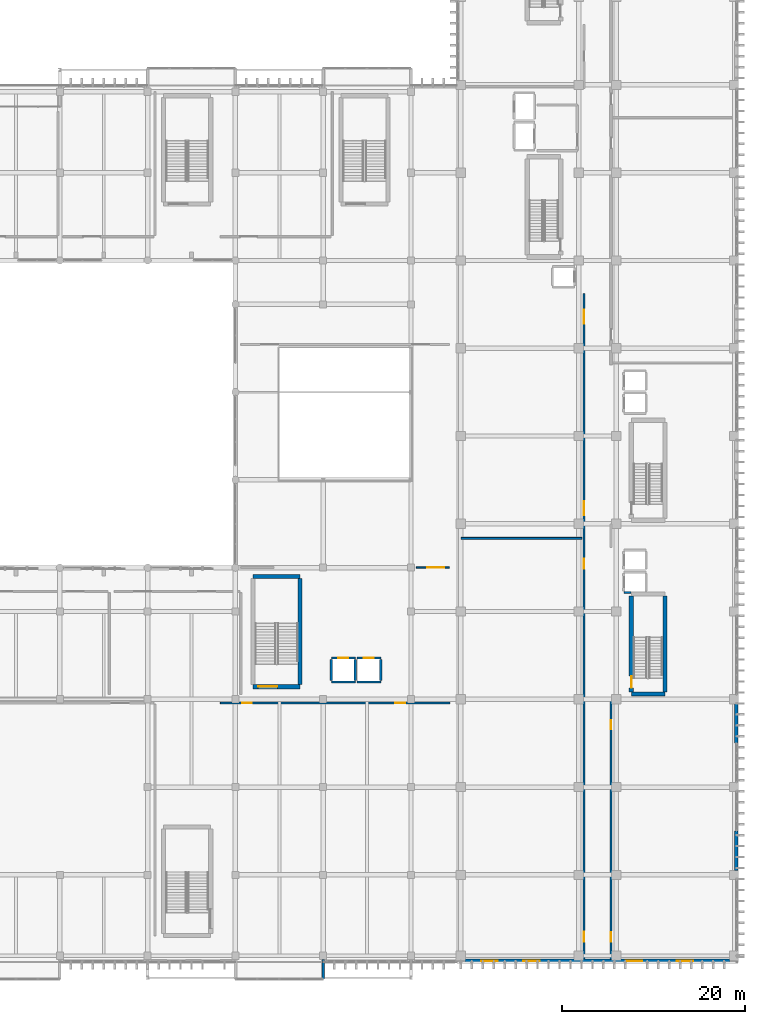
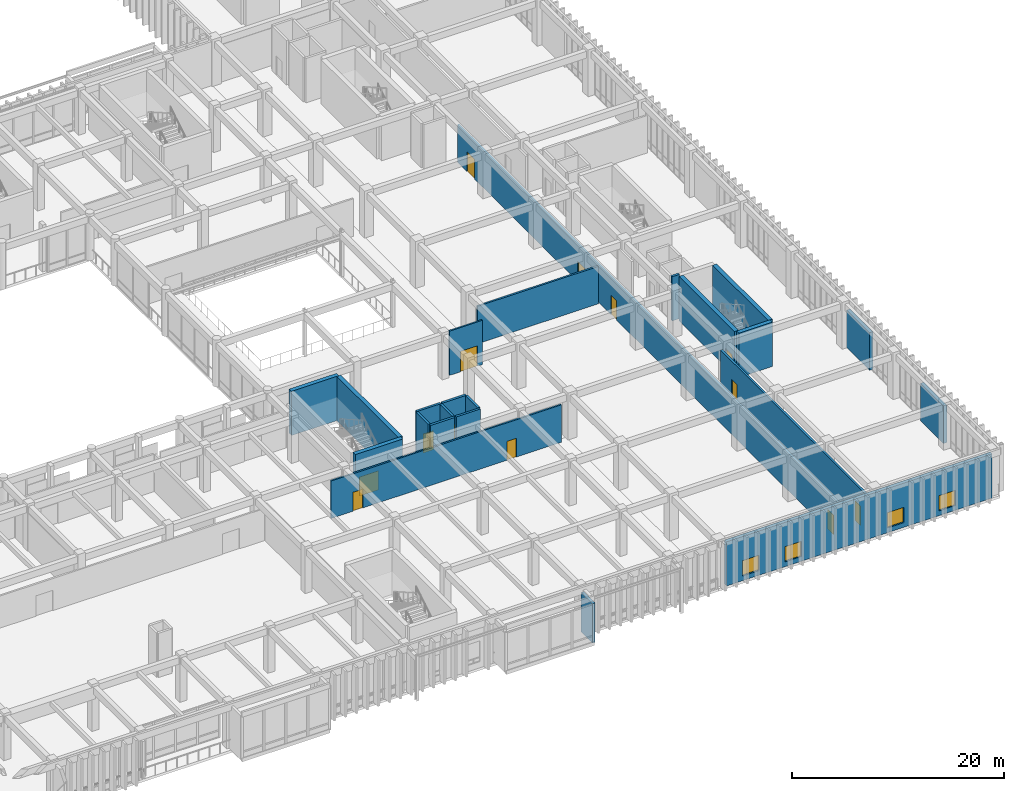
# One storey, part 106 of 134: 23 walls, 13 doors, 4 windows, 17 openings.
"""IFC4 building model written with IfcOpenShell, lengths in metres."""

from ifc_helpers import new_model, si_unit, direction, frame, frame_2d, origin, place, context, subcontext, project, spatial, rectangle, extrude, material, layer, layer_set, type_object, element, fill, save


model = new_model("IFC4")

# Units and contexts
model_context = context("Model", 3, precision=1e-05, world=origin(), true_north=direction((0.0, 1.0)))
body_context = subcontext(model_context, "Body", "Model", "MODEL_VIEW")
ifc_project = project(units=[si_unit("LENGTHUNIT", "METRE"), si_unit("AREAUNIT", "SQUARE_METRE"), si_unit("VOLUMEUNIT", "CUBIC_METRE"), si_unit("PLANEANGLEUNIT", "RADIAN"), si_unit("MASSUNIT", "GRAM", prefix="KILO")], contexts=[model_context])

# Site, building, storey
site_placement = place(None, origin())
site = spatial("IfcSite", under=ifc_project, at=site_placement, CompositionType="ELEMENT")
building_placement = place(site_placement, origin())
building = spatial("IfcBuilding", under=site, at=building_placement, Name="Nakhvara Creek Congress Hotel", CompositionType="ELEMENT")
storey_placement = place(building_placement, frame((0.0, 0.0, 6.0)))
storey = spatial("IfcBuildingStorey", under=building, at=storey_placement, Name="L01", CompositionType="ELEMENT", Elevation=6.0)

# Walls
ifc_material_1 = material(Name="Champagne-bronze anodised aluminium cassette", Category="aluminium")
ifc_layer_1 = layer(ifc_material_1, 0.030029296875)
ifc_material_2 = material(Name="Mineral wool thermal insulation")
ifc_layer_2 = layer(ifc_material_2, 0.10009765625)
ifc_material_3 = material(Name="Precast concrete C40/50", Category="concrete")
ifc_layer_3 = layer(ifc_material_3, 0.169921875)
ifc_layer_set_1 = layer_set([ifc_layer_1, ifc_layer_2, ifc_layer_3], Name="Precast concrete C40/50")
wall_type_1 = type_object("IfcWallType", Name="W-BOX-300", PredefinedType="SOLIDWALL", material=ifc_layer_set_1)
wall_1_placement = place(storey_placement, frame((134.39990234375, 0.35009765625, 0.0), z_axis=(0.0, 0.0, 1.0), x_axis=(0.0, -1.0, 0.0)))
element("IfcWall", 1, at=wall_1_placement, inside=storey, type_object=wall_type_1, Name="Exterior Wall WE06-EW-L01-0060", PredefinedType="SOLIDWALL", context=body_context, shape_type="SweptSolid", body=[
    extrude(rectangle(XDim=2.150146484375, YDim=0.300048828125, at=frame_2d((1.0751953125, 0.0))), origin(), (0.0, 0.0, 1.0), 4.5419921875),
])
ifc_material_4 = material(Name="Concrete C50/60", Category="concrete")
ifc_layer_4 = layer(ifc_material_4, 0.449951171875)
ifc_layer_set_2 = layer_set([ifc_layer_4], Name="Concrete C50/60")
wall_type_2 = type_object("IfcWallType", Name="W-CORE-450", PredefinedType="SHEAR", material=ifc_layer_set_2)
wall_2_placement = place(storey_placement, frame((168.10009765625, 29.3798828125, 0.0), z_axis=(0.0, 0.0, 1.0), x_axis=(1.0, 0.0, 0.0)))
element("IfcWall", 2, at=wall_2_placement, inside=storey, type_object=wall_type_2, Name="Core Shear Wall WS02-CWALL-L01-0567", PredefinedType="SHEAR", context=body_context, shape_type="SweptSolid", body=[
    extrude(rectangle(XDim=3.669921875, YDim=0.449951171875, at=frame_2d((1.8349609375, 0.0))), origin(), (0.0, 0.0, 1.0), 5.10009765625),
])

# Wall, opening, door
wall_3_placement = place(storey_placement, frame((168.10009765625, 29.60009765625, 0.0), z_axis=(0.0, 0.0, 1.0), x_axis=(0.0, 1.0, 0.0)))
wall_3 = element("IfcWall", 3, at=wall_3_placement, inside=storey, type_object=wall_type_2, Name="Core Shear Wall WS02-CWALL-L01-0569", PredefinedType="SHEAR", context=body_context, shape_type="SweptSolid", body=[
    extrude(rectangle(XDim=10.5, YDim=0.449951171875, at=frame_2d((5.25, 0.0))), origin(), (0.0, 0.0, 1.0), 5.10009765625),
])
opening_1_placement = place(wall_3_placement, frame((0.449951171875, 0.0, 0.0)))
opening_1 = element("IfcOpeningElement", 4, at=opening_1_placement, cuts=wall_3, Name="Opening FD04", PredefinedType="OPENING", context=body_context, shape_type="SweptSolid", body=[
    extrude(rectangle(XDim=1.300048828125, YDim=2.14990234375, at=frame_2d((0.64990234375, 1.074951171875))), frame((0.0, 0.23681640625, 0.0), z_axis=(0.0, -1.0, 0.0), x_axis=(1.0, 0.0, 0.0)), (0.0, 0.0, 1.0), 0.473876953125),
])
ifc_material_5 = material(Name="Powder-coated steel fire door", Category="steel")
door_type_1 = type_object("IfcDoorType", Name="DT-STAIR-130", OperationType="NOTDEFINED", PredefinedType="DOOR", material=ifc_material_5)
door_1_placement = place(opening_1_placement, origin())
door_1 = element("IfcDoor", 5, at=door_1_placement, inside=storey, type_object=door_type_1, Name="Stair Exit Door ST03-L01", OperationType="SINGLE_SWING_RIGHT", OverallHeight=2.14990234375, OverallWidth=1.300048828125, PredefinedType="DOOR", context=body_context, shape_type="SweptSolid", body=[
    extrude(rectangle(XDim=1.300048828125, YDim=2.14990234375, at=frame_2d((0.64990234375, 1.074951171875))), frame((0.0, 0.02490234375, 0.0), z_axis=(0.0, -1.0, 0.0), x_axis=(1.0, 0.0, 0.0)), (0.0, 0.0, 1.0), 0.050048828125),
])
fill(opening_1, door_1)

# Wall
wall_4_placement = place(storey_placement, frame((171.77001953125, 29.60009765625, 0.0), z_axis=(0.0, 0.0, 1.0), x_axis=(0.0, 1.0, 0.0)))
element("IfcWall", 6, at=wall_4_placement, inside=storey, type_object=wall_type_2, Name="Core Shear Wall WS02-CWALL-L01-0570", PredefinedType="SHEAR", context=body_context, shape_type="SweptSolid", body=[
    extrude(rectangle(XDim=10.5, YDim=0.449951171875, at=frame_2d((5.25, 0.0))), origin(), (0.0, 0.0, 1.0), 5.10009765625),
])

# Wall, opening, door
wall_5_placement = place(storey_placement, frame((126.72998046875, 30.179931640625, 0.0), z_axis=(0.0, 0.0, 1.0), x_axis=(1.0, 0.0, 0.0)))
wall_5 = element("IfcWall", 7, at=wall_5_placement, inside=storey, type_object=wall_type_2, Name="Core Shear Wall WS02-CWALL-L01-0814", PredefinedType="SHEAR", context=body_context, shape_type="SweptSolid", body=[
    extrude(rectangle(XDim=5.14990234375, YDim=0.449951171875, at=frame_2d((2.574951171875, 0.0))), origin(), (0.0, 0.0, 1.0), 5.10009765625),
])
opening_2_placement = place(wall_5_placement, frame((0.550048828125, 0.0, 0.0)))
opening_2 = element("IfcOpeningElement", 8, at=opening_2_placement, cuts=wall_5, Name="Opening FD19", PredefinedType="OPENING", context=body_context, shape_type="SweptSolid", body=[
    extrude(rectangle(XDim=2.10009765625, YDim=2.199951171875, at=frame_2d((1.050048828125, 1.10009765625))), frame((0.0, 0.23681640625, 0.0), z_axis=(0.0, -1.0, 0.0), x_axis=(1.0, 0.0, 0.0)), (0.0, 0.0, 1.0), 0.473876953125),
])
ifc_material_6 = material(Name="Galvanised steel acoustic fire door", Category="steel")
door_type_2 = type_object("IfcDoorType", Name="DT-STAIR-220", OperationType="DOUBLE_DOOR_SINGLE_SWING", PredefinedType="DOOR", material=ifc_material_6)
door_2_placement = place(opening_2_placement, frame((2.10009765625, 0.0, 0.0), z_axis=(0.0, 0.0, 1.0), x_axis=(-1.0, 0.0, 0.0)))
door_2 = element("IfcDoor", 9, at=door_2_placement, inside=storey, type_object=door_type_2, Name="Stair Exit Door ST06-L01", OperationType="DOUBLE_DOOR_SINGLE_SWING", OverallHeight=2.199951171875, OverallWidth=2.10009765625, PredefinedType="DOOR", context=body_context, shape_type="SweptSolid", body=[
    extrude(rectangle(XDim=2.10009765625, YDim=2.199951171875, at=frame_2d((1.050048828125, 1.10009765625))), frame((0.0, 0.02490234375, 0.0), z_axis=(0.0, -1.0, 0.0), x_axis=(1.0, 0.0, 0.0)), (0.0, 0.0, 1.0), 0.050048828125),
])
fill(opening_2, door_2)

# Walls
wall_6_placement = place(storey_placement, frame((126.72998046875, 42.219970703125, 0.0), z_axis=(0.0, 0.0, 1.0), x_axis=(1.0, 0.0, 0.0)))
element("IfcWall", 10, at=wall_6_placement, inside=storey, type_object=wall_type_2, Name="Core Shear Wall WS02-CWALL-L01-0815", PredefinedType="SHEAR", context=body_context, shape_type="SweptSolid", body=[
    extrude(rectangle(XDim=5.14990234375, YDim=0.449951171875, at=frame_2d((2.574951171875, 0.0))), origin(), (0.0, 0.0, 1.0), 5.10009765625),
])
wall_7_placement = place(storey_placement, frame((131.8798828125, 30.39990234375, 0.0), z_axis=(0.0, 0.0, 1.0), x_axis=(0.0, 1.0, 0.0)))
element("IfcWall", 11, at=wall_7_placement, inside=storey, type_object=wall_type_2, Name="Core Shear Wall WS02-CWALL-L01-0817", PredefinedType="SHEAR", context=body_context, shape_type="SweptSolid", body=[
    extrude(rectangle(XDim=11.60009765625, YDim=0.449951171875, at=frame_2d((5.800048828125, 0.0))), origin(), (0.0, 0.0, 1.0), 5.10009765625),
])

# Wall, openings, doors
ifc_material_7 = material(Name="Gypsum acoustic board on steel stud", Category="steel")
ifc_layer_5 = layer(ifc_material_7, 0.219970703125)
ifc_layer_set_3 = layer_set([ifc_layer_5], Name="Gypsum acoustic board on steel stud")
wall_type_3 = type_object("IfcWallType", Name="W-CORR-220", PredefinedType="PARTITIONING", material=ifc_layer_set_3)
wall_8_placement = place(storey_placement, frame((162.919921875, 0.35009765625, 0.0), z_axis=(0.0, 0.0, 1.0), x_axis=(0.0, 1.0, 0.0)))
wall_8 = element("IfcWall", 12, at=wall_8_placement, inside=storey, type_object=wall_type_3, Name="Interior Wall WP11-IW-L01-0078", PredefinedType="PARTITIONING", context=body_context, shape_type="SweptSolid", body=[
    extrude(rectangle(XDim=72.849853515625, YDim=0.219970703125, at=frame_2d((36.4248046875, 0.0))), origin(), (0.0, 0.0, 1.0), 4.31201171875),
])
opening_3_placement = place(wall_8_placement, frame((1.949951171875, 0.0, 0.0)))
opening_3 = element("IfcOpeningElement", 13, at=opening_3_placement, cuts=wall_8, Name="Opening GD02", PredefinedType="OPENING", context=body_context, shape_type="SweptSolid", body=[
    extrude(rectangle(XDim=1.080078125, YDim=2.25, at=frame_2d((0.5400390625, 1.125))), frame((0.0, 0.1220703125, 0.0), z_axis=(0.0, -1.0, 0.0), x_axis=(1.0, 0.0, 0.0)), (0.0, 0.0, 1.0), 0.243896484375),
])
opening_4_placement = place(wall_8_placement, frame((42.75, 0.0, 0.0)))
opening_4 = element("IfcOpeningElement", 14, at=opening_4_placement, cuts=wall_8, Name="Opening GD02", PredefinedType="OPENING", context=body_context, shape_type="SweptSolid", body=[
    extrude(rectangle(XDim=1.080078125, YDim=2.25, at=frame_2d((0.5400390625, 1.125))), frame((0.0, 0.1220703125, 0.0), z_axis=(0.0, -1.0, 0.0), x_axis=(1.0, 0.0, 0.0)), (0.0, 0.0, 1.0), 0.243896484375),
])
opening_5_placement = place(wall_8_placement, frame((48.60009765625, 0.0, 0.0)))
opening_5 = element("IfcOpeningElement", 15, at=opening_5_placement, cuts=wall_8, Name="Opening GD03", PredefinedType="OPENING", context=body_context, shape_type="SweptSolid", body=[
    extrude(rectangle(XDim=1.5, YDim=2.300048828125, at=frame_2d((0.75, 1.14990234375))), frame((0.0, 0.1220703125, 0.0), z_axis=(0.0, -1.0, 0.0), x_axis=(1.0, 0.0, 0.0)), (0.0, 0.0, 1.0), 0.243896484375),
])
opening_6_placement = place(wall_8_placement, frame((69.550048828125, 0.0, 0.0)))
opening_6 = element("IfcOpeningElement", 16, at=opening_6_placement, cuts=wall_8, Name="Opening GD03", PredefinedType="OPENING", context=body_context, shape_type="SweptSolid", body=[
    extrude(rectangle(XDim=1.5, YDim=2.300048828125, at=frame_2d((0.75, 1.14990234375))), frame((0.0, 0.1220703125, 0.0), z_axis=(0.0, -1.0, 0.0), x_axis=(1.0, 0.0, 0.0)), (0.0, 0.0, 1.0), 0.243896484375),
])
ifc_material_8 = material(Name="Walnut hardwood timber fire door", Category="wood")
door_type_3 = type_object("IfcDoorType", Name="DT-GUEST-108", OperationType="NOTDEFINED", PredefinedType="DOOR", material=ifc_material_8)
door_3_placement = place(opening_3_placement, frame((1.080078125, 0.0, 0.0), z_axis=(0.0, 0.0, 1.0), x_axis=(-1.0, 0.0, 0.0)))
door_3 = element("IfcDoor", 17, at=door_3_placement, inside=storey, type_object=door_type_3, Name="Interior Door GD02-0115", OperationType="SINGLE_SWING_RIGHT", OverallHeight=2.25, OverallWidth=1.080078125, PredefinedType="DOOR", context=body_context, shape_type="SweptSolid", body=[
    extrude(rectangle(XDim=1.080078125, YDim=2.25, at=frame_2d((0.5400390625, 1.125))), frame((0.0, 0.02490234375, 0.0), z_axis=(0.0, -1.0, 0.0), x_axis=(1.0, 0.0, 0.0)), (0.0, 0.0, 1.0), 0.050048828125),
])
fill(opening_3, door_3)
door_4_placement = place(opening_4_placement, frame((1.080078125, 0.0, 0.0), z_axis=(0.0, 0.0, 1.0), x_axis=(-1.0, 0.0, 0.0)))
door_4 = element("IfcDoor", 18, at=door_4_placement, inside=storey, type_object=door_type_3, Name="Interior Door GD02-0116", OperationType="SINGLE_SWING_LEFT", OverallHeight=2.25, OverallWidth=1.080078125, PredefinedType="DOOR", context=body_context, shape_type="SweptSolid", body=[
    extrude(rectangle(XDim=1.080078125, YDim=2.25, at=frame_2d((0.5400390625, 1.125))), frame((0.0, 0.02490234375, 0.0), z_axis=(0.0, -1.0, 0.0), x_axis=(1.0, 0.0, 0.0)), (0.0, 0.0, 1.0), 0.050048828125),
])
fill(opening_4, door_4)
ifc_material_9 = material(Name="Walnut hardwood double fire door", Category="wood")
door_type_4 = type_object("IfcDoorType", Name="DT-SUITE-150", OperationType="DOUBLE_DOOR_SINGLE_SWING", PredefinedType="DOOR", material=ifc_material_9)
door_5_placement = place(opening_5_placement, frame((1.5, 0.0, 0.0), z_axis=(0.0, 0.0, 1.0), x_axis=(-1.0, 0.0, 0.0)))
door_5 = element("IfcDoor", 19, at=door_5_placement, inside=storey, type_object=door_type_4, Name="Interior Door GD03-0121", OperationType="DOUBLE_DOOR_SINGLE_SWING", OverallHeight=2.300048828125, OverallWidth=1.5, PredefinedType="DOOR", context=body_context, shape_type="SweptSolid", body=[
    extrude(rectangle(XDim=1.5, YDim=2.300048828125, at=frame_2d((0.75, 1.14990234375))), frame((0.0, 0.02490234375, 0.0), z_axis=(0.0, -1.0, 0.0), x_axis=(1.0, 0.0, 0.0)), (0.0, 0.0, 1.0), 0.050048828125),
])
fill(opening_5, door_5)
door_6_placement = place(opening_6_placement, frame((1.5, 0.0, 0.0), z_axis=(0.0, 0.0, 1.0), x_axis=(-1.0, 0.0, 0.0)))
door_6 = element("IfcDoor", 20, at=door_6_placement, inside=storey, type_object=door_type_4, Name="Interior Door GD03-0122", OperationType="DOUBLE_DOOR_SINGLE_SWING", OverallHeight=2.300048828125, OverallWidth=1.5, PredefinedType="DOOR", context=body_context, shape_type="SweptSolid", body=[
    extrude(rectangle(XDim=1.5, YDim=2.300048828125, at=frame_2d((0.75, 1.14990234375))), frame((0.0, 0.02490234375, 0.0), z_axis=(0.0, -1.0, 0.0), x_axis=(1.0, 0.0, 0.0)), (0.0, 0.0, 1.0), 0.050048828125),
])
fill(opening_6, door_6)

wall_9_placement = place(storey_placement, frame((165.8798828125, 0.35009765625, 0.0), z_axis=(0.0, 0.0, 1.0), x_axis=(0.0, 1.0, 0.0)))
wall_9 = element("IfcWall", 21, at=wall_9_placement, inside=storey, type_object=wall_type_3, Name="Interior Wall WP11-IW-L01-0081", PredefinedType="PARTITIONING", context=body_context, shape_type="SweptSolid", body=[
    extrude(rectangle(XDim=28.25, YDim=0.219970703125, at=frame_2d((14.125, 0.0))), origin(), (0.0, 0.0, 1.0), 4.31201171875),
])
opening_7_placement = place(wall_9_placement, frame((1.949951171875, 0.0, 0.0)))
opening_7 = element("IfcOpeningElement", 22, at=opening_7_placement, cuts=wall_9, Name="Opening GD01", PredefinedType="OPENING", context=body_context, shape_type="SweptSolid", body=[
    extrude(rectangle(XDim=1.02001953125, YDim=2.199951171875, at=frame_2d((0.510009765625, 1.10009765625))), frame((0.0, 0.1220703125, 0.0), z_axis=(0.0, -1.0, 0.0), x_axis=(1.0, 0.0, 0.0)), (0.0, 0.0, 1.0), 0.243896484375),
])
opening_8_placement = place(wall_9_placement, frame((25.14990234375, 0.0, 0.0)))
opening_8 = element("IfcOpeningElement", 23, at=opening_8_placement, cuts=wall_9, Name="Opening GD01", PredefinedType="OPENING", context=body_context, shape_type="SweptSolid", body=[
    extrude(rectangle(XDim=1.02001953125, YDim=2.199951171875, at=frame_2d((0.510009765625, 1.10009765625))), frame((0.0, 0.1220703125, 0.0), z_axis=(0.0, -1.0, 0.0), x_axis=(1.0, 0.0, 0.0)), (0.0, 0.0, 1.0), 0.243896484375),
])
door_type_5 = type_object("IfcDoorType", Name="DT-GUEST-102", OperationType="NOTDEFINED", PredefinedType="DOOR", material=ifc_material_8)
door_7_placement = place(opening_7_placement, origin())
door_7 = element("IfcDoor", 24, at=door_7_placement, inside=storey, type_object=door_type_5, Name="Interior Door GD01-0117", OperationType="SINGLE_SWING_RIGHT", OverallHeight=2.199951171875, OverallWidth=1.02001953125, PredefinedType="DOOR", context=body_context, shape_type="SweptSolid", body=[
    extrude(rectangle(XDim=1.02001953125, YDim=2.199951171875, at=frame_2d((0.510009765625, 1.10009765625))), frame((0.0, 0.02490234375, 0.0), z_axis=(0.0, -1.0, 0.0), x_axis=(1.0, 0.0, 0.0)), (0.0, 0.0, 1.0), 0.050048828125),
])
fill(opening_7, door_7)
door_8_placement = place(opening_8_placement, origin())
door_8 = element("IfcDoor", 25, at=door_8_placement, inside=storey, type_object=door_type_5, Name="Interior Door GD01-0118", OperationType="SINGLE_SWING_LEFT", OverallHeight=2.199951171875, OverallWidth=1.02001953125, PredefinedType="DOOR", context=body_context, shape_type="SweptSolid", body=[
    extrude(rectangle(XDim=1.02001953125, YDim=2.199951171875, at=frame_2d((0.510009765625, 1.10009765625))), frame((0.0, 0.02490234375, 0.0), z_axis=(0.0, -1.0, 0.0), x_axis=(1.0, 0.0, 0.0)), (0.0, 0.0, 1.0), 0.050048828125),
])
fill(opening_8, door_8)

# Wall, openings, windows
ifc_material_10 = material(Name="Honed pale Omani limestone cladding", Category="masonry")
ifc_layer_6 = layer(ifc_material_10, 0.050048828125)
ifc_layer_7 = layer(ifc_material_2, 0.110107421875)
ifc_layer_8 = layer(ifc_material_3, 0.219970703125)
ifc_layer_set_4 = layer_set([ifc_layer_6, ifc_layer_7, ifc_layer_8], Name="Precast concrete C40/50")
wall_type_4 = type_object("IfcWallType", Name="W-EXT-380", PredefinedType="SOLIDWALL", material=ifc_layer_set_4)
wall_10_placement = place(storey_placement, frame((178.875, 0.18994140625, 0.0), z_axis=(0.0, 0.0, 1.0), x_axis=(-1.0, 0.0, 0.0)))
wall_10 = element("IfcWall", 26, at=wall_10_placement, inside=storey, type_object=wall_type_4, Name="Exterior Wall WE03-EW-L01-0096", PredefinedType="SOLIDWALL", context=body_context, shape_type="SweptSolid", body=[
    extrude(rectangle(XDim=28.949951171875, YDim=0.3798828125, at=frame_2d((14.47509765625, 0.0))), origin(), (0.0, 0.0, 1.0), 5.10009765625),
])
opening_9_placement = place(wall_10_placement, frame((4.0, 0.0, 0.550048828125)))
opening_9 = element("IfcOpeningElement", 27, at=opening_9_placement, cuts=wall_10, Name="Opening WN0109", PredefinedType="OPENING", context=body_context, shape_type="SweptSolid", body=[
    extrude(rectangle(XDim=1.800048828125, YDim=1.760009765625, at=frame_2d((0.89990234375, 0.8798828125))), frame((0.0, 0.201904296875, 0.0), z_axis=(0.0, -1.0, 0.0), x_axis=(1.0, 0.0, 0.0)), (0.0, 0.0, 1.0), 0.40380859375),
])
opening_10_placement = place(wall_10_placement, frame((9.60009765625, 0.0, 0.550048828125)))
opening_10 = element("IfcOpeningElement", 28, at=opening_10_placement, cuts=wall_10, Name="Opening WN0110", PredefinedType="OPENING", context=body_context, shape_type="SweptSolid", body=[
    extrude(rectangle(XDim=1.800048828125, YDim=1.760009765625, at=frame_2d((0.89990234375, 0.8798828125))), frame((0.0, 0.201904296875, 0.0), z_axis=(0.0, -1.0, 0.0), x_axis=(1.0, 0.0, 0.0)), (0.0, 0.0, 1.0), 0.40380859375),
])
opening_11_placement = place(wall_10_placement, frame((20.800048828125, 0.0, 0.550048828125)))
opening_11 = element("IfcOpeningElement", 29, at=opening_11_placement, cuts=wall_10, Name="Opening WN0111", PredefinedType="OPENING", context=body_context, shape_type="SweptSolid", body=[
    extrude(rectangle(XDim=1.800048828125, YDim=1.760009765625, at=frame_2d((0.89990234375, 0.8798828125))), frame((0.0, 0.201904296875, 0.0), z_axis=(0.0, -1.0, 0.0), x_axis=(1.0, 0.0, 0.0)), (0.0, 0.0, 1.0), 0.40380859375),
])
opening_12_placement = place(wall_10_placement, frame((25.39990234375, 0.0, 0.550048828125)))
opening_12 = element("IfcOpeningElement", 30, at=opening_12_placement, cuts=wall_10, Name="Opening WN0112", PredefinedType="OPENING", context=body_context, shape_type="SweptSolid", body=[
    extrude(rectangle(XDim=1.800048828125, YDim=1.760009765625, at=frame_2d((0.89990234375, 0.8798828125))), frame((0.0, 0.201904296875, 0.0), z_axis=(0.0, -1.0, 0.0), x_axis=(1.0, 0.0, 0.0)), (0.0, 0.0, 1.0), 0.40380859375),
])
ifc_material_11 = material(Name="Thermally broken bronze-anodised aluminium and double-silver low-E insulated glass", Category="aluminium")
window_type = type_object("IfcWindowType", Name="WN-LAN-180X225", PartitioningType="SINGLE_PANEL", PredefinedType="WINDOW", material=ifc_material_11)
window_1_placement = place(opening_9_placement, origin())
window_1 = element("IfcWindow", 31, at=window_1_placement, inside=storey, type_object=window_type, Name="Facade Window WN0109", OverallHeight=1.760009765625, OverallWidth=1.800048828125, PartitioningType="SINGLE_PANEL", PredefinedType="WINDOW", context=body_context, shape_type="SweptSolid", body=[
    extrude(rectangle(XDim=1.800048828125, YDim=1.760009765625, at=frame_2d((0.89990234375, 0.8798828125))), frame((0.0, 0.030029296875, 0.0), z_axis=(0.0, -1.0, 0.0), x_axis=(1.0, 0.0, 0.0)), (0.0, 0.0, 1.0), 0.06005859375),
])
fill(opening_9, window_1)
window_2_placement = place(opening_10_placement, origin())
window_2 = element("IfcWindow", 32, at=window_2_placement, inside=storey, type_object=window_type, Name="Facade Window WN0110", OverallHeight=1.760009765625, OverallWidth=1.800048828125, PartitioningType="SINGLE_PANEL", PredefinedType="WINDOW", context=body_context, shape_type="SweptSolid", body=[
    extrude(rectangle(XDim=1.800048828125, YDim=1.760009765625, at=frame_2d((0.89990234375, 0.8798828125))), frame((0.0, 0.030029296875, 0.0), z_axis=(0.0, -1.0, 0.0), x_axis=(1.0, 0.0, 0.0)), (0.0, 0.0, 1.0), 0.06005859375),
])
fill(opening_10, window_2)
window_3_placement = place(opening_11_placement, origin())
window_3 = element("IfcWindow", 33, at=window_3_placement, inside=storey, type_object=window_type, Name="Facade Window WN0111", OverallHeight=1.760009765625, OverallWidth=1.800048828125, PartitioningType="SINGLE_PANEL", PredefinedType="WINDOW", context=body_context, shape_type="SweptSolid", body=[
    extrude(rectangle(XDim=1.800048828125, YDim=1.760009765625, at=frame_2d((0.89990234375, 0.8798828125))), frame((0.0, 0.030029296875, 0.0), z_axis=(0.0, -1.0, 0.0), x_axis=(1.0, 0.0, 0.0)), (0.0, 0.0, 1.0), 0.06005859375),
])
fill(opening_11, window_3)
window_4_placement = place(opening_12_placement, origin())
window_4 = element("IfcWindow", 34, at=window_4_placement, inside=storey, type_object=window_type, Name="Facade Window WN0112", OverallHeight=1.760009765625, OverallWidth=1.800048828125, PartitioningType="SINGLE_PANEL", PredefinedType="WINDOW", context=body_context, shape_type="SweptSolid", body=[
    extrude(rectangle(XDim=1.800048828125, YDim=1.760009765625, at=frame_2d((0.89990234375, 0.8798828125))), frame((0.0, 0.030029296875, 0.0), z_axis=(0.0, -1.0, 0.0), x_axis=(1.0, 0.0, 0.0)), (0.0, 0.0, 1.0), 0.06005859375),
])
fill(opening_12, window_4)

# Walls
for number, where, z_axis, x_axis, name in (
    (35, (179.56005859375, 14.39990234375, 0.0), (0.0, 0.0, 1.0), (0.0, -1.0, 0.0), "Exterior Wall WE03-EW-L01-0097"),
    (36, (179.56005859375, 28.324951171875, 0.0), (0.0, 0.0, 1.0), (0.0, -1.0, 0.0), "Exterior Wall WE03-EW-L01-0098"),
):
    element("IfcWall", number, at=place(storey_placement, frame(where, z_axis=z_axis, x_axis=x_axis)), inside=storey, type_object=wall_type_4, Name=name, PredefinedType="SOLIDWALL", context=body_context, shape_type="SweptSolid", body=[
        extrude(rectangle(XDim=4.324951171875, YDim=0.3798828125, at=frame_2d((2.16259765625, 0.0))), origin(), (0.0, 0.0, 1.0), 4.342041015625),
    ])

# Wall, opening, door
ifc_layer_9 = layer(ifc_material_7, 0.179931640625)
ifc_layer_set_5 = layer_set([ifc_layer_9], Name="Gypsum acoustic board on steel stud")
wall_type_5 = type_object("IfcWallType", Name="W-MEET-180", PredefinedType="PARTITIONING", material=ifc_layer_set_5)
wall_11_placement = place(storey_placement, frame((144.60009765625, 43.199951171875, 0.0), z_axis=(0.0, 0.0, 1.0), x_axis=(1.0, 0.0, 0.0)))
wall_11 = element("IfcWall", 37, at=wall_11_placement, inside=storey, type_object=wall_type_5, Name="Interior Wall WP13-IW-L01-0110", PredefinedType="PARTITIONING", context=body_context, shape_type="SweptSolid", body=[
    extrude(rectangle(XDim=3.599853515625, YDim=0.179931640625, at=frame_2d((1.7998046875, 0.0))), origin(), (0.0, 0.0, 1.0), 5.10009765625),
])
opening_13_placement = place(wall_11_placement, frame((1.199951171875, 0.0, 0.0)))
opening_13 = element("IfcOpeningElement", 38, at=opening_13_placement, cuts=wall_11, Name="Opening MD01", PredefinedType="OPENING", context=body_context, shape_type="SweptSolid", body=[
    extrude(rectangle(XDim=1.85009765625, YDim=2.35009765625, at=frame_2d((0.925048828125, 1.175048828125))), frame((0.0, 0.10205078125, 0.0), z_axis=(0.0, -1.0, 0.0), x_axis=(1.0, 0.0, 0.0)), (0.0, 0.0, 1.0), 0.203857421875),
])
ifc_material_12 = material(Name="Acoustic walnut timber double door", Category="wood")
door_type_6 = type_object("IfcDoorType", Name="DT-MEET-185", OperationType="DOUBLE_DOOR_SINGLE_SWING", PredefinedType="DOOR", material=ifc_material_12)
door_9_placement = place(opening_13_placement, frame((1.85009765625, 0.0, 0.0), z_axis=(0.0, 0.0, 1.0), x_axis=(-1.0, 0.0, 0.0)))
door_9 = element("IfcDoor", 39, at=door_9_placement, inside=storey, type_object=door_type_6, Name="Interior Door MD01-0107", OperationType="DOUBLE_DOOR_SINGLE_SWING", OverallHeight=2.35009765625, OverallWidth=1.85009765625, PredefinedType="DOOR", context=body_context, shape_type="SweptSolid", body=[
    extrude(rectangle(XDim=1.85009765625, YDim=2.35009765625, at=frame_2d((0.925048828125, 1.175048828125))), frame((0.0, 0.02490234375, 0.0), z_axis=(0.0, -1.0, 0.0), x_axis=(1.0, 0.0, 0.0)), (0.0, 0.0, 1.0), 0.050048828125),
])
fill(opening_13, door_9)

# Wall, openings, doors
wall_12_placement = place(storey_placement, frame((123.14990234375, 28.39990234375, 0.0), z_axis=(0.0, 0.0, 1.0), x_axis=(1.0, 0.0, 0.0)))
wall_12 = element("IfcWall", 40, at=wall_12_placement, inside=storey, type_object=wall_type_5, Name="Interior Wall WP13-IW-L01-0114", PredefinedType="PARTITIONING", context=body_context, shape_type="SweptSolid", body=[
    extrude(rectangle(XDim=25.10009765625, YDim=0.179931640625, at=frame_2d((12.550048828125, 0.0))), origin(), (0.0, 0.0, 1.0), 4.31201171875),
])
opening_14_placement = place(wall_12_placement, frame((2.39990234375, 0.0, 0.0)))
opening_14 = element("IfcOpeningElement", 41, at=opening_14_placement, cuts=wall_12, Name="Opening ID04", PredefinedType="OPENING", context=body_context, shape_type="SweptSolid", body=[
    extrude(rectangle(XDim=1.050048828125, YDim=2.179931640625, at=frame_2d((0.52490234375, 1.08984375))), frame((0.0, 0.10205078125, 0.0), z_axis=(0.0, -1.0, 0.0), x_axis=(1.0, 0.0, 0.0)), (0.0, 0.0, 1.0), 0.203857421875),
])
opening_15_placement = place(wall_12_placement, frame((19.14990234375, 0.0, 0.0)))
opening_15 = element("IfcOpeningElement", 42, at=opening_15_placement, cuts=wall_12, Name="Opening ID04", PredefinedType="OPENING", context=body_context, shape_type="SweptSolid", body=[
    extrude(rectangle(XDim=1.050048828125, YDim=2.179931640625, at=frame_2d((0.52490234375, 1.08984375))), frame((0.0, 0.10205078125, 0.0), z_axis=(0.0, -1.0, 0.0), x_axis=(1.0, 0.0, 0.0)), (0.0, 0.0, 1.0), 0.203857421875),
])
ifc_material_13 = material(Name="Teak timber & frosted glass spa door", Category="wood")
door_type_7 = type_object("IfcDoorType", Name="DT-SPA-105", OperationType="NOTDEFINED", PredefinedType="DOOR", material=ifc_material_13)
door_10_placement = place(opening_14_placement, origin())
door_10 = element("IfcDoor", 43, at=door_10_placement, inside=storey, type_object=door_type_7, Name="Interior Door ID04-0113", OperationType="SINGLE_SWING_RIGHT", OverallHeight=2.179931640625, OverallWidth=1.050048828125, PredefinedType="DOOR", context=body_context, shape_type="SweptSolid", body=[
    extrude(rectangle(XDim=1.050048828125, YDim=2.179931640625, at=frame_2d((0.52490234375, 1.08984375))), frame((0.0, 0.02490234375, 0.0), z_axis=(0.0, -1.0, 0.0), x_axis=(1.0, 0.0, 0.0)), (0.0, 0.0, 1.0), 0.050048828125),
])
fill(opening_14, door_10)
door_11_placement = place(opening_15_placement, origin())
door_11 = element("IfcDoor", 44, at=door_11_placement, inside=storey, type_object=door_type_7, Name="Interior Door ID04-0114", OperationType="SINGLE_SWING_LEFT", OverallHeight=2.179931640625, OverallWidth=1.050048828125, PredefinedType="DOOR", context=body_context, shape_type="SweptSolid", body=[
    extrude(rectangle(XDim=1.050048828125, YDim=2.179931640625, at=frame_2d((0.52490234375, 1.08984375))), frame((0.0, 0.02490234375, 0.0), z_axis=(0.0, -1.0, 0.0), x_axis=(1.0, 0.0, 0.0)), (0.0, 0.0, 1.0), 0.050048828125),
])
fill(opening_15, door_11)

# Walls
ifc_layer_10 = layer(ifc_material_7, 0.199951171875)
ifc_layer_set_6 = layer_set([ifc_layer_10], Name="Gypsum acoustic board on steel stud")
wall_type_6 = type_object("IfcWallType", Name="W-PART-200", PredefinedType="PARTITIONING", material=ifc_layer_set_6)
wall_13_placement = place(storey_placement, frame((149.5, 46.39990234375, 0.0), z_axis=(0.0, 0.0, 1.0), x_axis=(1.0, 0.0, 0.0)))
element("IfcWall", 45, at=wall_13_placement, inside=storey, type_object=wall_type_6, Name="Interior Wall WP12-IW-L01-0116", PredefinedType="PARTITIONING", context=body_context, shape_type="SweptSolid", body=[
    extrude(rectangle(XDim=13.199951171875, YDim=0.199951171875, at=frame_2d((6.60009765625, 0.0))), origin(), (0.0, 0.0, 1.0), 4.31201171875),
])
ifc_material_14 = material(Name="Concrete C40/50", Category="concrete")
ifc_layer_11 = layer(ifc_material_14, 0.25)
ifc_layer_set_7 = layer_set([ifc_layer_11], Name="Concrete C40/50")
wall_type_7 = type_object("IfcWallType", Name="W-SHAFT-250", PredefinedType="SOLIDWALL", material=ifc_layer_set_7)
wall_14_placement = place(storey_placement, frame((167.2900390625, 40.489990234375, 0.0), z_axis=(0.0, 0.0, 1.0), x_axis=(1.0, 0.0, 0.0)))
element("IfcWall", 46, at=wall_14_placement, inside=storey, type_object=wall_type_7, Name="Core Shear Wall WI02-CWALL-L01-0571", PredefinedType="SOLIDWALL", context=body_context, shape_type="SweptSolid", body=[
    extrude(rectangle(XDim=0.800048828125, YDim=0.25, at=frame_2d((0.39990234375, 0.0))), origin(), (0.0, 0.0, 1.0), 5.10009765625),
])
wall_15_placement = place(storey_placement, frame((135.2900390625, 30.68994140625, 0.0), z_axis=(0.0, 0.0, 1.0), x_axis=(1.0, 0.0, 0.0)))
element("IfcWall", 47, at=wall_15_placement, inside=storey, type_object=wall_type_7, Name="Core Shear Wall WI02-CWALL-L01-0818", PredefinedType="SOLIDWALL", context=body_context, shape_type="SweptSolid", body=[
    extrude(rectangle(XDim=2.619873046875, YDim=0.25, at=frame_2d((1.31005859375, 0.0))), origin(), (0.0, 0.0, 1.0), 5.10009765625),
])

# Wall, opening, door
wall_16_placement = place(storey_placement, frame((135.2900390625, 33.31005859375, 0.0), z_axis=(0.0, 0.0, 1.0), x_axis=(1.0, 0.0, 0.0)))
wall_16 = element("IfcWall", 48, at=wall_16_placement, inside=storey, type_object=wall_type_7, Name="Core Shear Wall WI02-CWALL-L01-0819", PredefinedType="SOLIDWALL", context=body_context, shape_type="SweptSolid", body=[
    extrude(rectangle(XDim=2.619873046875, YDim=0.25, at=frame_2d((1.31005859375, 0.0))), origin(), (0.0, 0.0, 1.0), 5.10009765625),
])
opening_16_placement = place(wall_16_placement, frame((0.760009765625, 0.0, 0.0)))
opening_16 = element("IfcOpeningElement", 49, at=opening_16_placement, cuts=wall_16, Name="Opening LD01", PredefinedType="OPENING", context=body_context, shape_type="SweptSolid", body=[
    extrude(rectangle(XDim=1.10009765625, YDim=2.199951171875, at=frame_2d((0.550048828125, 1.10009765625))), frame((0.0, 0.136962890625, 0.0), z_axis=(0.0, -1.0, 0.0), x_axis=(1.0, 0.0, 0.0)), (0.0, 0.0, 1.0), 0.27392578125),
])
ifc_material_15 = material(Name="Brushed stainless steel sliding landing door", Category="steel")
door_type_8 = type_object("IfcDoorType", Name="DT-LIFT-110", OperationType="DOUBLE_DOOR_SLIDING", PredefinedType="DOOR", material=ifc_material_15)
door_12_placement = place(opening_16_placement, origin())
door_12 = element("IfcDoor", 50, at=door_12_placement, inside=storey, type_object=door_type_8, Name="Landing Door CL03-L01", OperationType="SLIDING_TO_LEFT", OverallHeight=2.199951171875, OverallWidth=1.10009765625, PredefinedType="DOOR", context=body_context, shape_type="SweptSolid", body=[
    extrude(rectangle(XDim=1.10009765625, YDim=2.199951171875, at=frame_2d((0.550048828125, 1.10009765625))), frame((0.0, 0.02490234375, 0.0), z_axis=(0.0, -1.0, 0.0), x_axis=(1.0, 0.0, 0.0)), (0.0, 0.0, 1.0), 0.050048828125),
])
fill(opening_16, door_12)

# Walls
for number, where, z_axis, x_axis, name in (
    (51, (135.2900390625, 30.85009765625, 0.0), (0.0, 0.0, 1.0), (0.0, 1.0, 0.0), "Core Shear Wall WI02-CWALL-L01-0820"),
    (52, (137.909912109375, 30.85009765625, 0.0), (0.0, 0.0, 1.0), (0.0, 1.0, 0.0), "Core Shear Wall WI02-CWALL-L01-0821"),
):
    element("IfcWall", number, at=place(storey_placement, frame(where, z_axis=z_axis, x_axis=x_axis)), inside=storey, type_object=wall_type_7, Name=name, PredefinedType="SOLIDWALL", context=body_context, shape_type="SweptSolid", body=[
        extrude(rectangle(XDim=2.2998046875, YDim=0.25, at=frame_2d((1.14990234375, 0.0))), origin(), (0.0, 0.0, 1.0), 5.10009765625),
    ])
wall_17_placement = place(storey_placement, frame((138.090087890625, 30.68994140625, 0.0), z_axis=(0.0, 0.0, 1.0), x_axis=(1.0, 0.0, 0.0)))
element("IfcWall", 53, at=wall_17_placement, inside=storey, type_object=wall_type_7, Name="Core Shear Wall WI02-CWALL-L01-0822", PredefinedType="SOLIDWALL", context=body_context, shape_type="SweptSolid", body=[
    extrude(rectangle(XDim=2.619873046875, YDim=0.25, at=frame_2d((1.31005859375, 0.0))), origin(), (0.0, 0.0, 1.0), 5.10009765625),
])

# Wall, opening, door
wall_18_placement = place(storey_placement, frame((138.090087890625, 33.31005859375, 0.0), z_axis=(0.0, 0.0, 1.0), x_axis=(1.0, 0.0, 0.0)))
wall_18 = element("IfcWall", 54, at=wall_18_placement, inside=storey, type_object=wall_type_7, Name="Core Shear Wall WI02-CWALL-L01-0823", PredefinedType="SOLIDWALL", context=body_context, shape_type="SweptSolid", body=[
    extrude(rectangle(XDim=2.619873046875, YDim=0.25, at=frame_2d((1.31005859375, 0.0))), origin(), (0.0, 0.0, 1.0), 5.10009765625),
])
opening_17_placement = place(wall_18_placement, frame((0.760009765625, 0.0, 0.0)))
opening_17 = element("IfcOpeningElement", 55, at=opening_17_placement, cuts=wall_18, Name="Opening LD01", PredefinedType="OPENING", context=body_context, shape_type="SweptSolid", body=[
    extrude(rectangle(XDim=1.10009765625, YDim=2.199951171875, at=frame_2d((0.550048828125, 1.10009765625))), frame((0.0, 0.136962890625, 0.0), z_axis=(0.0, -1.0, 0.0), x_axis=(1.0, 0.0, 0.0)), (0.0, 0.0, 1.0), 0.27392578125),
])
door_13_placement = place(opening_17_placement, origin())
door_13 = element("IfcDoor", 56, at=door_13_placement, inside=storey, type_object=door_type_8, Name="Landing Door CL04-L01", OperationType="SLIDING_TO_LEFT", OverallHeight=2.199951171875, OverallWidth=1.10009765625, PredefinedType="DOOR", context=body_context, shape_type="SweptSolid", body=[
    extrude(rectangle(XDim=1.10009765625, YDim=2.199951171875, at=frame_2d((0.550048828125, 1.10009765625))), frame((0.0, 0.02490234375, 0.0), z_axis=(0.0, -1.0, 0.0), x_axis=(1.0, 0.0, 0.0)), (0.0, 0.0, 1.0), 0.050048828125),
])
fill(opening_17, door_13)

# Wall
wall_19_placement = place(storey_placement, frame((140.7099609375, 30.85009765625, 0.0), z_axis=(0.0, 0.0, 1.0), x_axis=(0.0, 1.0, 0.0)))
element("IfcWall", 57, at=wall_19_placement, inside=storey, type_object=wall_type_7, Name="Core Shear Wall WI02-CWALL-L01-0824", PredefinedType="SOLIDWALL", context=body_context, shape_type="SweptSolid", body=[
    extrude(rectangle(XDim=2.2998046875, YDim=0.25, at=frame_2d((1.14990234375, 0.0))), origin(), (0.0, 0.0, 1.0), 5.10009765625),
])

save(model, "model.ifc")
